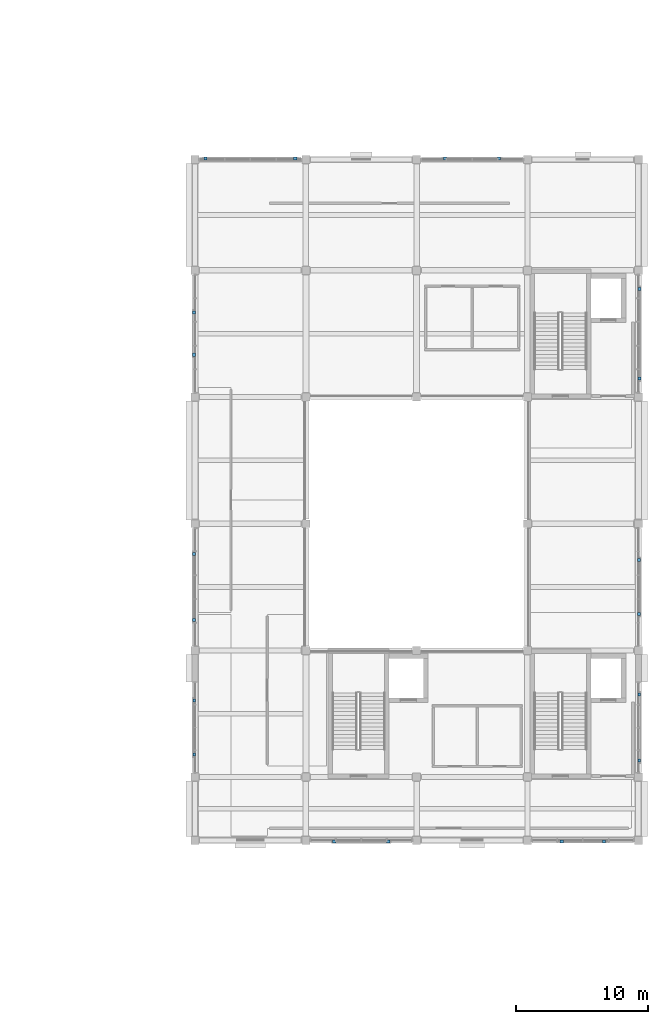
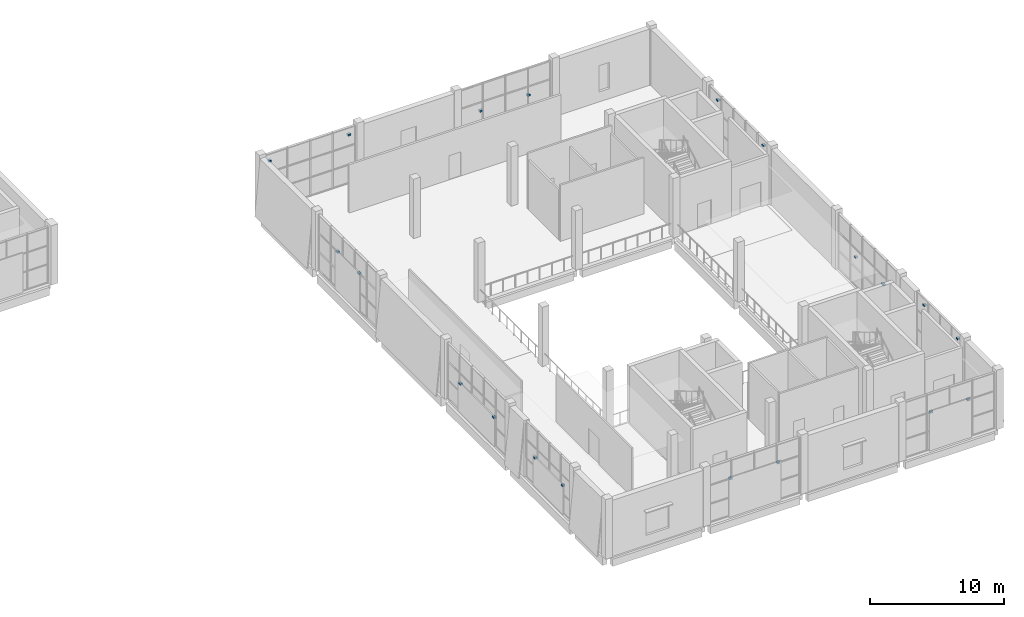
# One storey, part 49 of 57: 20 discrete accessories.
"""IFC4 building model written with IfcOpenShell, lengths in metres."""

from ifc_helpers import new_model, si_unit, direction, frame, origin, origin_2d, place, context, subcontext, project, spatial, rectangle, extrude, material, type_object, element, save


model = new_model("IFC4")

# Units and contexts
model_context = context("Model", 3, precision=1e-05, world=origin(), true_north=direction((0.0, 1.0)))
body_context = subcontext(model_context, "Body", "Model", "MODEL_VIEW")
ifc_project = project(units=[si_unit("LENGTHUNIT", "METRE"), si_unit("AREAUNIT", "SQUARE_METRE"), si_unit("VOLUMEUNIT", "CUBIC_METRE"), si_unit("PLANEANGLEUNIT", "RADIAN"), si_unit("MASSUNIT", "GRAM", prefix="KILO")], contexts=[model_context])

# Site, building, storey
site_placement = place(None, origin())
site = spatial("IfcSite", under=ifc_project, at=site_placement, CompositionType="ELEMENT")
building_placement = place(site_placement, origin())
building = spatial("IfcBuilding", under=site, at=building_placement, Name="Shalvenor Court Art Gallery", CompositionType="ELEMENT")
storey_placement = place(building_placement, frame((0.0, 0.0, 16.800048828125)))
storey = spatial("IfcBuildingStorey", under=building, at=storey_placement, Name="L03", CompositionType="ELEMENT", Elevation=16.800048828125)

# Discrete accessories
ifc_material = material(Name="Stainless steel anchor bracket", Category="steel")
discrete_accessory_type = type_object("IfcDiscreteAccessoryType", Name="BRK-01", PredefinedType="BRACKET", material=ifc_material)
for number, where, z_axis, x_axis, name in (
    (1, (143.60009765625, 97.2666015625, 4.27001953125), (0.0, 0.0, 1.0), (1.0, 0.0, 0.0), "L03 Lattice Anchor Bracket 39"),
    (2, (150.39990234375, 97.2666015625, 4.27001953125), (0.0, 0.0, 1.0), (1.0, 0.0, 0.0), "L03 Lattice Anchor Bracket 40"),
    (3, (161.75, 97.271484375, 2.47021484375), (0.0, 0.0, 1.0), (1.0, 0.0, 0.0), "L03 Lattice Anchor Bracket 41"),
    (4, (165.85009765625, 97.271484375, 2.47021484375), (0.0, 0.0, 1.0), (1.0, 0.0, 0.0), "L03 Lattice Anchor Bracket 42"),
    (5, (176.4765625, 87.39990234375, 4.27001953125), (0.0, 0.0, 1.0), (0.0, -1.0, 0.0), "L03 Lattice Anchor Bracket 43"),
    (6, (176.4765625, 80.60009765625, 4.27001953125), (0.0, 0.0, 1.0), (0.0, -1.0, 0.0), "L03 Lattice Anchor Bracket 44"),
    (7, (176.45654296875, 66.85009765625, 2.47021484375), (0.0, 0.0, 1.0), (0.0, -1.0, 0.0), "L03 Lattice Anchor Bracket 45"),
    (8, (176.45654296875, 62.75, 2.47021484375), (0.0, 0.0, 1.0), (0.0, -1.0, 0.0), "L03 Lattice Anchor Bracket 46"),
    (9, (176.466552734375, 56.64990234375, 4.27001953125), (0.0, 0.0, 1.0), (0.0, -1.0, 0.0), "L03 Lattice Anchor Bracket 47"),
    (10, (176.466552734375, 51.64990234375, 4.27001953125), (0.0, 0.0, 1.0), (0.0, -1.0, 0.0), "L03 Lattice Anchor Bracket 48"),
    (11, (173.800048828125, 45.528564453125, 3.3701171875), (0.0, 0.0, 1.0), (-1.0, 0.0, 0.0), "L03 Lattice Anchor Bracket 49"),
    (12, (170.60009765625, 45.528564453125, 3.3701171875), (0.0, 0.0, 1.0), (-1.0, 0.0, 0.0), "L03 Lattice Anchor Bracket 50"),
    (13, (157.449951171875, 45.5234375, 3.3701171875), (0.0, 0.0, 1.0), (-1.0, 0.0, 0.0), "L03 Lattice Anchor Bracket 51"),
    (14, (153.35009765625, 45.5234375, 3.3701171875), (0.0, 0.0, 1.0), (-1.0, 0.0, 0.0), "L03 Lattice Anchor Bracket 52"),
    (15, (142.743408203125, 52.10009765625, 2.47021484375), (0.0, 0.0, 1.0), (0.0, 1.0, 0.0), "L03 Lattice Anchor Bracket 53"),
    (16, (142.743408203125, 56.199951171875, 2.47021484375), (0.0, 0.0, 1.0), (0.0, 1.0, 0.0), "L03 Lattice Anchor Bracket 54"),
    (17, (142.73486328125, 62.300048828125, 2.47021484375), (0.0, 0.0, 1.0), (0.0, 1.0, 0.0), "L03 Lattice Anchor Bracket 55"),
    (18, (142.73486328125, 67.300048828125, 2.47021484375), (0.0, 0.0, 1.0), (0.0, 1.0, 0.0), "L03 Lattice Anchor Bracket 56"),
    (19, (142.728515625, 82.39990234375, 3.3701171875), (0.0, 0.0, 1.0), (0.0, 1.0, 0.0), "L03 Lattice Anchor Bracket 57"),
    (20, (142.728515625, 85.60009765625, 3.3701171875), (0.0, 0.0, 1.0), (0.0, 1.0, 0.0), "L03 Lattice Anchor Bracket 58"),
):
    element("IfcDiscreteAccessory", number, at=place(storey_placement, frame(where, z_axis=z_axis, x_axis=x_axis)), inside=storey, type_object=discrete_accessory_type, Name=name, PredefinedType="BRACKET", context=body_context, shape_type="SweptSolid", body=[
        extrude(rectangle(XDim=0.239990234375, YDim=0.219970703125, at=origin_2d()), origin(), (0.0, 0.0, 1.0), 0.159912109375),
    ])

save(model, "model.ifc")
